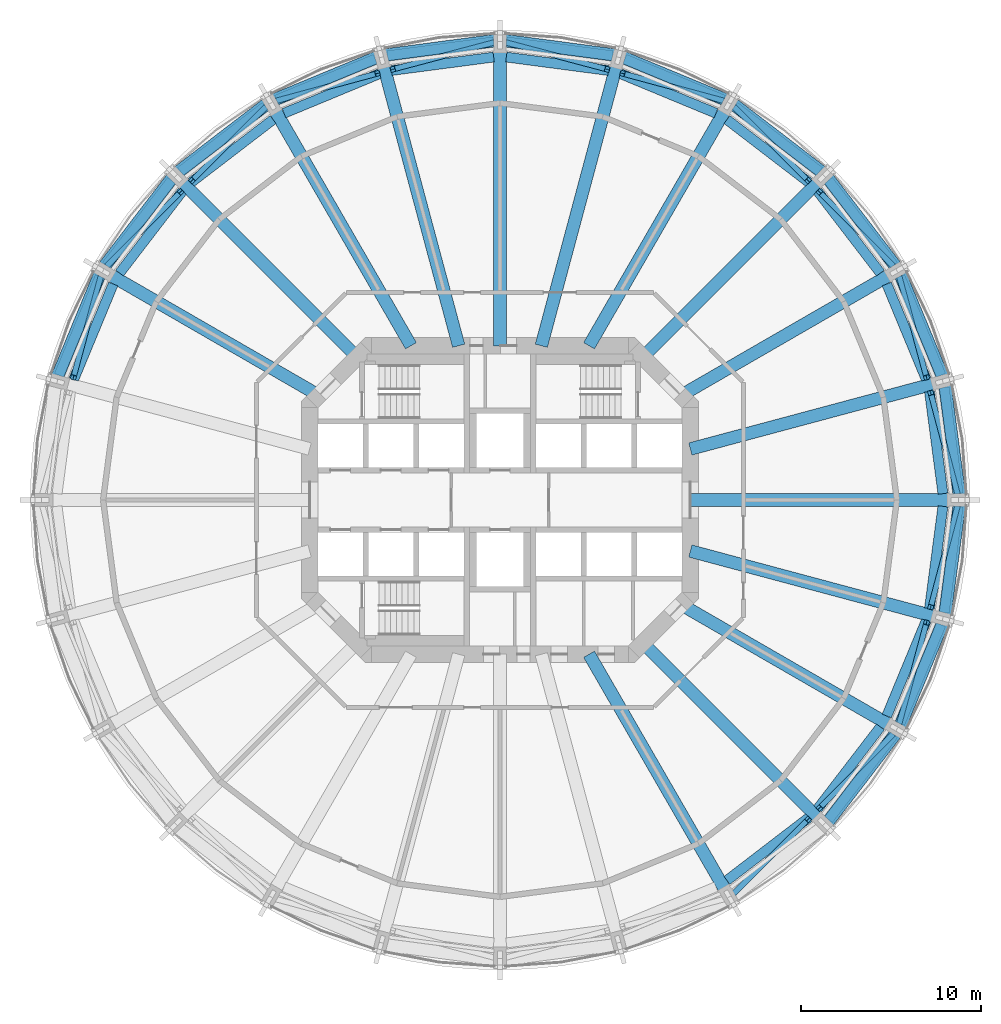
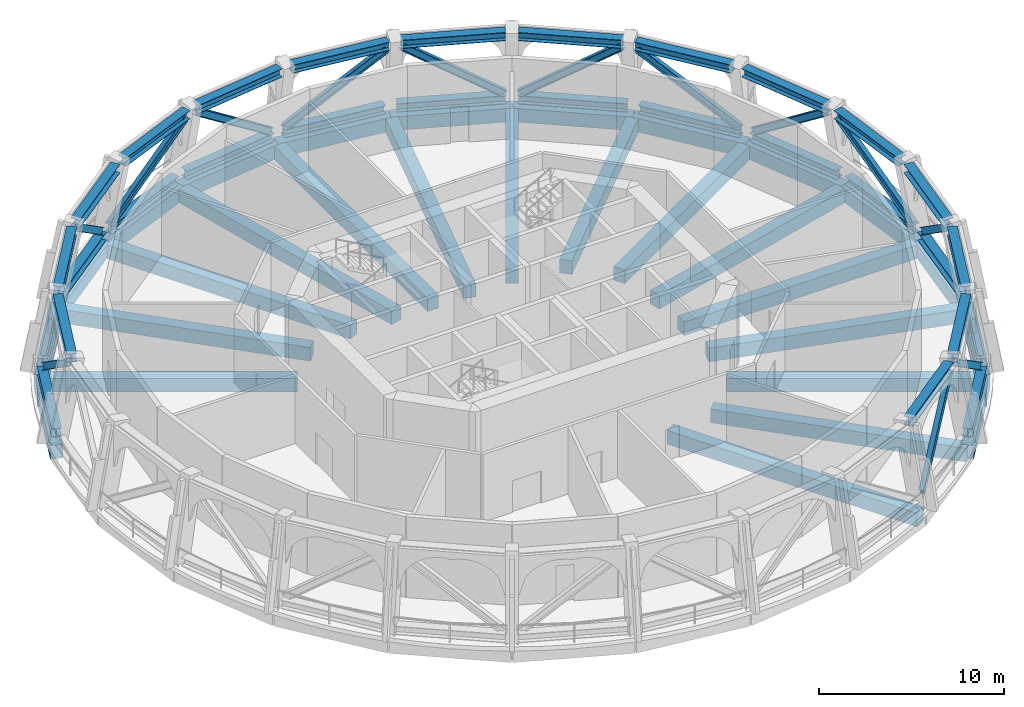
# One storey, part 2 of 9: 44 members, 29 beams.
"""IFC4 building model written with IfcOpenShell, lengths in metres."""

from ifc_helpers import new_model, si_unit, direction, frame, origin, origin_2d, place, context, subcontext, project, spatial, rectangle, i_section, extrude, material, material_profile, profile_set, type_object, element, save


model = new_model("IFC4")

# Units and contexts
model_context = context("Model", 3, precision=1e-05, world=origin(), true_north=direction((0.0, 1.0)))
body_context = subcontext(model_context, "Body", "Model", "MODEL_VIEW")
ifc_project = project(units=[si_unit("LENGTHUNIT", "METRE"), si_unit("AREAUNIT", "SQUARE_METRE"), si_unit("VOLUMEUNIT", "CUBIC_METRE"), si_unit("PLANEANGLEUNIT", "RADIAN"), si_unit("MASSUNIT", "GRAM", prefix="KILO")], contexts=[model_context])

# Site, building, storey
site_placement = place(None, origin())
site = spatial("IfcSite", under=ifc_project, at=site_placement, CompositionType="ELEMENT")
building_placement = place(site_placement, origin())
building = spatial("IfcBuilding", under=site, at=building_placement, Name="Torre Triforio", CompositionType="ELEMENT")
storey_placement = place(building_placement, frame((0.0, 0.0, 110.60009765625)))
storey = spatial("IfcBuildingStorey", under=building, at=storey_placement, Name="L24", CompositionType="ELEMENT", Elevation=110.60009765625)

# Members
ifc_material_1 = material(Name="Steel ASTM A572 Gr 50", Category="steel")
ifc_material_profile_1 = material_profile(ifc_material_1, i_section(OverallWidth=0.550048828125, OverallDepth=0.550048828125, WebThickness=0.01904296875, FlangeThickness=0.02490234375, at=origin_2d()), Name="CS 550x290")
ifc_profile_set_1 = profile_set([ifc_material_profile_1], Name="Steel ASTM A572 Gr 50")
member_type_1 = type_object("IfcMemberType", Name="Belt truss chord CS 550x290", PredefinedType="CHORD", material=ifc_profile_set_1)
member_1_placement = place(storey_placement, frame((25.40478515625, 0.35009765625, 0.27490234375), z_axis=(-0.130544917969, 0.991442395902, 0.0), x_axis=(-0.991442395902, -0.130544917969, 0.0)))
element("IfcMember", 1, at=member_1_placement, inside=storey, type_object=member_type_1, Name="BT.L24.00.CB", PredefinedType="CHORD", context=body_context, shape_type="SweptSolid", body=[
    extrude(i_section(OverallWidth=0.550048828125, OverallDepth=0.550048828125, WebThickness=0.01904296875, FlangeThickness=0.02490234375, at=origin_2d()), origin(), (0.0, 0.0, 1.0), 5.937744140625),
])
member_2_placement = place(storey_placement, frame((24.552978515625, 0.35009765625, 5.044921875), z_axis=(-0.130540700513, 0.991442951213, 0.0), x_axis=(-0.991442951213, -0.130540700513, 0.0)))
element("IfcMember", 2, at=member_2_placement, inside=storey, type_object=member_type_1, Name="BT.L24.00.CT", PredefinedType="CHORD", context=body_context, shape_type="SweptSolid", body=[
    extrude(i_section(OverallWidth=0.550048828125, OverallDepth=0.550048828125, WebThickness=0.01904296875, FlangeThickness=0.02490234375, at=origin_2d()), origin(), (0.0, 0.0, 1.0), 5.71533203125),
])
member_3_placement = place(storey_placement, frame((24.448486328125, 6.913330078125, 0.27490234375), z_axis=(-0.382655604295, 0.923891058784, 0.0), x_axis=(-0.923891058784, -0.382655604295, 0.0)))
element("IfcMember", 3, at=member_3_placement, inside=storey, type_object=member_type_1, Name="BT.L24.01.CB", PredefinedType="CHORD", context=body_context, shape_type="SweptSolid", body=[
    extrude(i_section(OverallWidth=0.550048828125, OverallDepth=0.550048828125, WebThickness=0.01904296875, FlangeThickness=0.02490234375, at=origin_2d()), origin(), (0.0, 0.0, 1.0), 5.93798828125),
])
member_4_placement = place(storey_placement, frame((23.625732421875, 6.69287109375, 5.044921875), z_axis=(-0.382682515754, 0.923879912183, 0.0), x_axis=(-0.923879912183, -0.382682515754, 0.0)))
element("IfcMember", 4, at=member_4_placement, inside=storey, type_object=member_type_1, Name="BT.L24.01.CT", PredefinedType="CHORD", context=body_context, shape_type="SweptSolid", body=[
    extrude(i_section(OverallWidth=0.550048828125, OverallDepth=0.550048828125, WebThickness=0.01904296875, FlangeThickness=0.02490234375, at=origin_2d()), origin(), (0.0, 0.0, 1.0), 5.715576171875),
])
member_5_placement = place(storey_placement, frame((21.826171875, 13.005615234375, 0.27490234375), z_axis=(-0.60877244745, 0.793344885422, 0.0), x_axis=(-0.793344885422, -0.60877244745, 0.0)))
element("IfcMember", 5, at=member_5_placement, inside=storey, type_object=member_type_1, Name="BT.L24.02.CB", PredefinedType="CHORD", context=body_context, shape_type="SweptSolid", body=[
    extrude(i_section(OverallWidth=0.550048828125, OverallDepth=0.550048828125, WebThickness=0.01904296875, FlangeThickness=0.02490234375, at=origin_2d()), origin(), (0.0, 0.0, 1.0), 5.937744140625),
])
member_6_placement = place(storey_placement, frame((21.088623046875, 12.57958984375, 5.044921875), z_axis=(-0.60877314691, 0.793344348692, 0.0), x_axis=(-0.793344348692, -0.60877314691, 0.0)))
element("IfcMember", 6, at=member_6_placement, inside=storey, type_object=member_type_1, Name="BT.L24.02.CT", PredefinedType="CHORD", context=body_context, shape_type="SweptSolid", body=[
    extrude(i_section(OverallWidth=0.550048828125, OverallDepth=0.550048828125, WebThickness=0.01904296875, FlangeThickness=0.02490234375, at=origin_2d()), origin(), (0.0, 0.0, 1.0), 5.715576171875),
])
member_7_placement = place(storey_placement, frame((17.71630859375, 18.21142578125, 0.27490234375), z_axis=(-0.793344885422, 0.60877244745, 0.0), x_axis=(-0.60877244745, -0.793344885422, 0.0)))
element("IfcMember", 7, at=member_7_placement, inside=storey, type_object=member_type_1, Name="BT.L24.03.CB", PredefinedType="CHORD", context=body_context, shape_type="SweptSolid", body=[
    extrude(i_section(OverallWidth=0.550048828125, OverallDepth=0.550048828125, WebThickness=0.01904296875, FlangeThickness=0.02490234375, at=origin_2d()), origin(), (0.0, 0.0, 1.0), 5.937744140625),
])
member_8_placement = place(storey_placement, frame((17.114013671875, 17.609130859375, 5.044921875), z_axis=(-0.793344348692, 0.60877314691, 0.0), x_axis=(-0.60877314691, -0.793344348692, 0.0)))
element("IfcMember", 8, at=member_8_placement, inside=storey, type_object=member_type_1, Name="BT.L24.03.CT", PredefinedType="CHORD", context=body_context, shape_type="SweptSolid", body=[
    extrude(i_section(OverallWidth=0.550048828125, OverallDepth=0.550048828125, WebThickness=0.01904296875, FlangeThickness=0.02490234375, at=origin_2d()), origin(), (0.0, 0.0, 1.0), 5.715576171875),
])
member_9_placement = place(storey_placement, frame((12.3994140625, 22.17626953125, 0.27490234375), z_axis=(-0.923891058784, 0.382655604295, 0.0), x_axis=(-0.382655604295, -0.923891058784, 0.0)))
element("IfcMember", 9, at=member_9_placement, inside=storey, type_object=member_type_1, Name="BT.L24.04.CB", PredefinedType="CHORD", context=body_context, shape_type="SweptSolid", body=[
    extrude(i_section(OverallWidth=0.550048828125, OverallDepth=0.550048828125, WebThickness=0.01904296875, FlangeThickness=0.02490234375, at=origin_2d()), origin(), (0.0, 0.0, 1.0), 5.93798828125),
])
member_10_placement = place(storey_placement, frame((11.973388671875, 21.4384765625, 5.044921875), z_axis=(-0.923879912183, 0.382682515754, 0.0), x_axis=(-0.382682515754, -0.923879912183, 0.0)))
element("IfcMember", 10, at=member_10_placement, inside=storey, type_object=member_type_1, Name="BT.L24.04.CT", PredefinedType="CHORD", context=body_context, shape_type="SweptSolid", body=[
    extrude(i_section(OverallWidth=0.550048828125, OverallDepth=0.550048828125, WebThickness=0.01904296875, FlangeThickness=0.02490234375, at=origin_2d()), origin(), (0.0, 0.0, 1.0), 5.715576171875),
])
member_11_placement = place(storey_placement, frame((6.237060546875, 24.629638671875, 0.27490234375), z_axis=(-0.991442395902, 0.130544917969, 0.0), x_axis=(-0.130544917969, -0.991442395902, 0.0)))
element("IfcMember", 11, at=member_11_placement, inside=storey, type_object=member_type_1, Name="BT.L24.05.CB", PredefinedType="CHORD", context=body_context, shape_type="SweptSolid", body=[
    extrude(i_section(OverallWidth=0.550048828125, OverallDepth=0.550048828125, WebThickness=0.01904296875, FlangeThickness=0.02490234375, at=origin_2d()), origin(), (0.0, 0.0, 1.0), 5.937744140625),
])
member_12_placement = place(storey_placement, frame((6.0166015625, 23.806884765625, 5.044921875), z_axis=(-0.991442951213, 0.130540700513, 0.0), x_axis=(-0.130540700513, -0.991442951213, 0.0)))
element("IfcMember", 12, at=member_12_placement, inside=storey, type_object=member_type_1, Name="BT.L24.05.CT", PredefinedType="CHORD", context=body_context, shape_type="SweptSolid", body=[
    extrude(i_section(OverallWidth=0.550048828125, OverallDepth=0.550048828125, WebThickness=0.01904296875, FlangeThickness=0.02490234375, at=origin_2d()), origin(), (0.0, 0.0, 1.0), 5.71533203125),
])
member_13_placement = place(storey_placement, frame((-0.35009765625, 25.40478515625, 0.27490234375), z_axis=(-0.991442395902, -0.130544917969, 0.0), x_axis=(0.130544917969, -0.991442395902, 0.0)))
element("IfcMember", 13, at=member_13_placement, inside=storey, type_object=member_type_1, Name="BT.L24.06.CB", PredefinedType="CHORD", context=body_context, shape_type="SweptSolid", body=[
    extrude(i_section(OverallWidth=0.550048828125, OverallDepth=0.550048828125, WebThickness=0.01904296875, FlangeThickness=0.02490234375, at=origin_2d()), origin(), (0.0, 0.0, 1.0), 5.937744140625),
])
member_14_placement = place(storey_placement, frame((-0.35009765625, 24.552978515625, 5.044921875), z_axis=(-0.991442951213, -0.130540700513, 0.0), x_axis=(0.130540700513, -0.991442951213, 0.0)))
element("IfcMember", 14, at=member_14_placement, inside=storey, type_object=member_type_1, Name="BT.L24.06.CT", PredefinedType="CHORD", context=body_context, shape_type="SweptSolid", body=[
    extrude(i_section(OverallWidth=0.550048828125, OverallDepth=0.550048828125, WebThickness=0.01904296875, FlangeThickness=0.02490234375, at=origin_2d()), origin(), (0.0, 0.0, 1.0), 5.71533203125),
])
member_15_placement = place(storey_placement, frame((-6.913330078125, 24.448486328125, 0.27490234375), z_axis=(-0.923891058784, -0.382655604295, 0.0), x_axis=(0.382655604295, -0.923891058784, 0.0)))
element("IfcMember", 15, at=member_15_placement, inside=storey, type_object=member_type_1, Name="BT.L24.07.CB", PredefinedType="CHORD", context=body_context, shape_type="SweptSolid", body=[
    extrude(i_section(OverallWidth=0.550048828125, OverallDepth=0.550048828125, WebThickness=0.01904296875, FlangeThickness=0.02490234375, at=origin_2d()), origin(), (0.0, 0.0, 1.0), 5.93798828125),
])
member_16_placement = place(storey_placement, frame((-6.69287109375, 23.625732421875, 5.044921875), z_axis=(-0.923879912183, -0.382682515754, 0.0), x_axis=(0.382682515754, -0.923879912183, 0.0)))
element("IfcMember", 16, at=member_16_placement, inside=storey, type_object=member_type_1, Name="BT.L24.07.CT", PredefinedType="CHORD", context=body_context, shape_type="SweptSolid", body=[
    extrude(i_section(OverallWidth=0.550048828125, OverallDepth=0.550048828125, WebThickness=0.01904296875, FlangeThickness=0.02490234375, at=origin_2d()), origin(), (0.0, 0.0, 1.0), 5.715576171875),
])
member_17_placement = place(storey_placement, frame((-13.005615234375, 21.826171875, 0.27490234375), z_axis=(-0.793344885422, -0.60877244745, 0.0), x_axis=(0.60877244745, -0.793344885422, 0.0)))
element("IfcMember", 17, at=member_17_placement, inside=storey, type_object=member_type_1, Name="BT.L24.08.CB", PredefinedType="CHORD", context=body_context, shape_type="SweptSolid", body=[
    extrude(i_section(OverallWidth=0.550048828125, OverallDepth=0.550048828125, WebThickness=0.01904296875, FlangeThickness=0.02490234375, at=origin_2d()), origin(), (0.0, 0.0, 1.0), 5.937744140625),
])
member_18_placement = place(storey_placement, frame((-12.57958984375, 21.088623046875, 5.044921875), z_axis=(-0.793344348692, -0.60877314691, 0.0), x_axis=(0.60877314691, -0.793344348692, 0.0)))
element("IfcMember", 18, at=member_18_placement, inside=storey, type_object=member_type_1, Name="BT.L24.08.CT", PredefinedType="CHORD", context=body_context, shape_type="SweptSolid", body=[
    extrude(i_section(OverallWidth=0.550048828125, OverallDepth=0.550048828125, WebThickness=0.01904296875, FlangeThickness=0.02490234375, at=origin_2d()), origin(), (0.0, 0.0, 1.0), 5.715576171875),
])
member_19_placement = place(storey_placement, frame((-18.21142578125, 17.71630859375, 0.27490234375), z_axis=(-0.60877244745, -0.793344885422, 0.0), x_axis=(0.793344885422, -0.60877244745, 0.0)))
element("IfcMember", 19, at=member_19_placement, inside=storey, type_object=member_type_1, Name="BT.L24.09.CB", PredefinedType="CHORD", context=body_context, shape_type="SweptSolid", body=[
    extrude(i_section(OverallWidth=0.550048828125, OverallDepth=0.550048828125, WebThickness=0.01904296875, FlangeThickness=0.02490234375, at=origin_2d()), origin(), (0.0, 0.0, 1.0), 5.937744140625),
])
member_20_placement = place(storey_placement, frame((-17.609130859375, 17.114013671875, 5.044921875), z_axis=(-0.60877314691, -0.793344348692, 0.0), x_axis=(0.793344348692, -0.60877314691, 0.0)))
element("IfcMember", 20, at=member_20_placement, inside=storey, type_object=member_type_1, Name="BT.L24.09.CT", PredefinedType="CHORD", context=body_context, shape_type="SweptSolid", body=[
    extrude(i_section(OverallWidth=0.550048828125, OverallDepth=0.550048828125, WebThickness=0.01904296875, FlangeThickness=0.02490234375, at=origin_2d()), origin(), (0.0, 0.0, 1.0), 5.715576171875),
])
member_21_placement = place(storey_placement, frame((-22.17626953125, 12.3994140625, 0.27490234375), z_axis=(-0.382655604295, -0.923891058784, 0.0), x_axis=(0.923891058784, -0.382655604295, 0.0)))
element("IfcMember", 21, at=member_21_placement, inside=storey, type_object=member_type_1, Name="BT.L24.10.CB", PredefinedType="CHORD", context=body_context, shape_type="SweptSolid", body=[
    extrude(i_section(OverallWidth=0.550048828125, OverallDepth=0.550048828125, WebThickness=0.01904296875, FlangeThickness=0.02490234375, at=origin_2d()), origin(), (0.0, 0.0, 1.0), 5.93798828125),
])
for number, where, z_axis, x_axis, name in (
    (22, (-21.4384765625, 11.973388671875, 5.044921875), (-0.382682515754, -0.923879912183, 0.0), (0.923879912183, -0.382682515754, 0.0), "BT.L24.10.CT"),
    (23, (12.57958984375, -21.088623046875, 5.044921875), (0.793344348692, 0.60877314691, 0.0), (-0.60877314691, 0.793344348692, 0.0), "BT.L24.20.CT"),
):
    element("IfcMember", number, at=place(storey_placement, frame(where, z_axis=z_axis, x_axis=x_axis)), inside=storey, type_object=member_type_1, Name=name, PredefinedType="CHORD", context=body_context, shape_type="SweptSolid", body=[
        extrude(i_section(OverallWidth=0.550048828125, OverallDepth=0.550048828125, WebThickness=0.01904296875, FlangeThickness=0.02490234375, at=origin_2d()), origin(), (0.0, 0.0, 1.0), 5.715576171875),
    ])
member_22_placement = place(storey_placement, frame((18.21142578125, -17.71630859375, 0.27490234375), z_axis=(0.60877244745, 0.793344885422, 0.0), x_axis=(-0.793344885422, 0.60877244745, 0.0)))
element("IfcMember", 24, at=member_22_placement, inside=storey, type_object=member_type_1, Name="BT.L24.21.CB", PredefinedType="CHORD", context=body_context, shape_type="SweptSolid", body=[
    extrude(i_section(OverallWidth=0.550048828125, OverallDepth=0.550048828125, WebThickness=0.01904296875, FlangeThickness=0.02490234375, at=origin_2d()), origin(), (0.0, 0.0, 1.0), 5.937744140625),
])
member_23_placement = place(storey_placement, frame((17.609130859375, -17.114013671875, 5.044921875), z_axis=(0.60877314691, 0.793344348692, 0.0), x_axis=(-0.793344348692, 0.60877314691, 0.0)))
element("IfcMember", 25, at=member_23_placement, inside=storey, type_object=member_type_1, Name="BT.L24.21.CT", PredefinedType="CHORD", context=body_context, shape_type="SweptSolid", body=[
    extrude(i_section(OverallWidth=0.550048828125, OverallDepth=0.550048828125, WebThickness=0.01904296875, FlangeThickness=0.02490234375, at=origin_2d()), origin(), (0.0, 0.0, 1.0), 5.715576171875),
])
member_24_placement = place(storey_placement, frame((22.17626953125, -12.3994140625, 0.27490234375), z_axis=(0.382655604295, 0.923891058784, 0.0), x_axis=(-0.923891058784, 0.382655604295, 0.0)))
element("IfcMember", 26, at=member_24_placement, inside=storey, type_object=member_type_1, Name="BT.L24.22.CB", PredefinedType="CHORD", context=body_context, shape_type="SweptSolid", body=[
    extrude(i_section(OverallWidth=0.550048828125, OverallDepth=0.550048828125, WebThickness=0.01904296875, FlangeThickness=0.02490234375, at=origin_2d()), origin(), (0.0, 0.0, 1.0), 5.93798828125),
])
member_25_placement = place(storey_placement, frame((21.4384765625, -11.973388671875, 5.044921875), z_axis=(0.382682515754, 0.923879912183, 0.0), x_axis=(-0.923879912183, 0.382682515754, 0.0)))
element("IfcMember", 27, at=member_25_placement, inside=storey, type_object=member_type_1, Name="BT.L24.22.CT", PredefinedType="CHORD", context=body_context, shape_type="SweptSolid", body=[
    extrude(i_section(OverallWidth=0.550048828125, OverallDepth=0.550048828125, WebThickness=0.01904296875, FlangeThickness=0.02490234375, at=origin_2d()), origin(), (0.0, 0.0, 1.0), 5.715576171875),
])
member_26_placement = place(storey_placement, frame((24.629638671875, -6.237060546875, 0.27490234375), z_axis=(0.130544917969, 0.991442395902, 0.0), x_axis=(-0.991442395902, 0.130544917969, 0.0)))
element("IfcMember", 28, at=member_26_placement, inside=storey, type_object=member_type_1, Name="BT.L24.23.CB", PredefinedType="CHORD", context=body_context, shape_type="SweptSolid", body=[
    extrude(i_section(OverallWidth=0.550048828125, OverallDepth=0.550048828125, WebThickness=0.01904296875, FlangeThickness=0.02490234375, at=origin_2d()), origin(), (0.0, 0.0, 1.0), 5.937744140625),
])
member_27_placement = place(storey_placement, frame((23.806884765625, -6.0166015625, 5.044921875), z_axis=(0.130540700513, 0.991442951213, 0.0), x_axis=(-0.991442951213, 0.130540700513, 0.0)))
element("IfcMember", 29, at=member_27_placement, inside=storey, type_object=member_type_1, Name="BT.L24.23.CT", PredefinedType="CHORD", context=body_context, shape_type="SweptSolid", body=[
    extrude(i_section(OverallWidth=0.550048828125, OverallDepth=0.550048828125, WebThickness=0.01904296875, FlangeThickness=0.02490234375, at=origin_2d()), origin(), (0.0, 0.0, 1.0), 5.71533203125),
])
ifc_material_profile_2 = material_profile(ifc_material_1, i_section(OverallWidth=0.300048828125, OverallDepth=0.449951171875, WebThickness=0.01611328125, FlangeThickness=0.0224609375, at=origin_2d()), Name="CVS 450x156")
ifc_profile_set_2 = profile_set([ifc_material_profile_2], Name="Steel ASTM A572 Gr 50")
member_type_2 = type_object("IfcMemberType", Name="Belt truss diagonal CVS 450x156", PredefinedType="BRACE", material=ifc_profile_set_2)
for number, where, z_axis, x_axis, name in (
    (30, (25.3349609375, 0.43701171875, 0.602294921875), (-0.207807238117, 0.782827400265, 0.586512926695), (-0.966525334729, -0.256571193487, 0.0), "BT.L24.00.D"),
    (31, (23.64599609375, 6.79150390625, 4.726318359375), (-0.211452203796, 0.781852335811, -0.586510776113), (-0.965319605992, -0.261070983235, 0.0), "BT.L24.01.D"),
    (32, (21.72216796875, 13.0458984375, 0.602294921875), (-0.571375218798, 0.574048765945, 0.5865137455), (-0.708755316491, -0.705454393527, 0.0), "BT.L24.02.D"),
    (33, (17.082275390625, 17.70458984375, 4.726318359375), (-0.574048765945, 0.571375218798, -0.5865137455), (-0.705454393527, -0.708755316491, 0.0), "BT.L24.03.D"),
    (34, (12.2890625, 22.1591796875, 0.602294921875), (-0.781852335811, 0.211452203796, 0.586510776113), (-0.261070983235, -0.965319605992, 0.0), "BT.L24.04.D"),
    (35, (5.94140625, 23.873779296875, 4.726318359375), (-0.782827400265, 0.207807238117, -0.586512926695), (-0.256571193487, -0.966525334729, 0.0), "BT.L24.05.D"),
    (36, (-0.43701171875, 25.3349609375, 0.602294921875), (-0.782827400265, -0.207807238117, 0.586512926695), (0.256571193487, -0.966525334729, 0.0), "BT.L24.06.D"),
    (37, (-6.79150390625, 23.64599609375, 4.726318359375), (-0.781852335811, -0.211452203796, -0.586510776113), (0.261070983235, -0.965319605992, 0.0), "BT.L24.07.D"),
    (38, (-13.0458984375, 21.72216796875, 0.602294921875), (-0.574048765945, -0.571375218798, 0.5865137455), (0.705454393527, -0.708755316491, 0.0), "BT.L24.08.D"),
    (39, (-17.70458984375, 17.082275390625, 4.726318359375), (-0.571375218798, -0.574048765945, -0.5865137455), (0.708755316491, -0.705454393527, 0.0), "BT.L24.09.D"),
    (40, (-22.1591796875, 12.2890625, 0.602294921875), (-0.211452203796, -0.781852335811, 0.586510776113), (0.965319605992, -0.261070983235, 0.0), "BT.L24.10.D"),
    (41, (13.0458984375, -21.72216796875, 0.602294921875), (0.574048765945, 0.571375218798, 0.5865137455), (-0.705454393527, 0.708755316491, 0.0), "BT.L24.20.D"),
    (42, (17.70458984375, -17.082275390625, 4.726318359375), (0.571375218798, 0.574048765945, -0.5865137455), (-0.708755316491, 0.705454393527, 0.0), "BT.L24.21.D"),
    (43, (22.1591796875, -12.2890625, 0.602294921875), (0.211452203796, 0.781852335811, 0.586510776113), (-0.965319605992, 0.261070983235, 0.0), "BT.L24.22.D"),
    (44, (23.873779296875, -5.94140625, 4.726318359375), (0.207807238117, 0.782827400265, -0.586512926695), (-0.966525334729, 0.256571193487, 0.0), "BT.L24.23.D"),
):
    element("IfcMember", number, at=place(storey_placement, frame(where, z_axis=z_axis, x_axis=x_axis)), inside=storey, type_object=member_type_2, Name=name, PredefinedType="BRACE", context=body_context, shape_type="SweptSolid", body=[
        extrude(i_section(OverallWidth=0.300048828125, OverallDepth=0.449951171875, WebThickness=0.01611328125, FlangeThickness=0.0224609375, at=origin_2d()), origin(), (0.0, 0.0, 1.0), 7.031494140625),
    ])

# Beams
ifc_material_2 = material(Name="Concrete C50", Category="concrete")
ifc_material_profile_3 = material_profile(ifc_material_2, rectangle(XDim=0.699951171875, YDim=0.89990234375, at=origin_2d()), Name="RC 700x900")
ifc_profile_set_3 = profile_set([ifc_material_profile_3], Name="Concrete C50")
beam_type_1 = type_object("IfcBeamType", Name="Radial beam RC 700x900 C50", PredefinedType="BEAM", material=ifc_profile_set_3)
beam_1_placement = place(storey_placement, frame((10.550048828125, 0.0, -0.72998046875), z_axis=(1.0, 0.0, 0.0), x_axis=(0.0, 1.0, 0.0)))
element("IfcBeam", 45, at=beam_1_placement, inside=storey, type_object=beam_type_1, Name="BM.R.L24.00", PredefinedType="BEAM", context=body_context, shape_type="SweptSolid", body=[
    extrude(rectangle(XDim=0.699951171875, YDim=0.89990234375, at=origin_2d()), origin(), (0.0, 0.0, 1.0), 14.949951171875),
])
beam_2_placement = place(storey_placement, frame((10.550048828125, 2.826904296875, -0.72998046875), z_axis=(0.965926821176, 0.258815332104, 0.0), x_axis=(-0.258815332104, 0.965926821176, 0.0)))
element("IfcBeam", 46, at=beam_2_placement, inside=storey, type_object=beam_type_1, Name="BM.R.L24.01", PredefinedType="BEAM", context=body_context, shape_type="SweptSolid", body=[
    extrude(rectangle(XDim=0.699951171875, YDim=0.89990234375, at=origin_2d()), origin(), (0.0, 0.0, 1.0), 14.577880859375),
])
beam_3_placement = place(storey_placement, frame((10.039794921875, 5.796630859375, -0.72998046875), z_axis=(0.866031815519, 0.499988894385, 0.0), x_axis=(-0.499988894385, 0.866031815519, 0.0)))
element("IfcBeam", 47, at=beam_3_placement, inside=storey, type_object=beam_type_1, Name="BM.R.L24.02", PredefinedType="BEAM", context=body_context, shape_type="SweptSolid", body=[
    extrude(rectangle(XDim=0.699951171875, YDim=0.89990234375, at=origin_2d()), origin(), (0.0, 0.0, 1.0), 13.906982421875),
])
beam_4_placement = place(storey_placement, frame((7.918212890625, 7.918212890625, -0.72998046875), z_axis=(0.707106781187, 0.707106781187, 0.0), x_axis=(-0.707106781187, 0.707106781187, 0.0)))
element("IfcBeam", 48, at=beam_4_placement, inside=storey, type_object=beam_type_1, Name="BM.R.L24.03", PredefinedType="BEAM", context=body_context, shape_type="SweptSolid", body=[
    extrude(rectangle(XDim=0.699951171875, YDim=0.89990234375, at=origin_2d()), origin(), (0.0, 0.0, 1.0), 14.302001953125),
])
beam_5_placement = place(storey_placement, frame((4.936279296875, 8.550048828125, -0.72998046875), z_axis=(0.500001935381, 0.866024286389, 0.0), x_axis=(-0.866024286389, 0.500001935381, 0.0)))
element("IfcBeam", 49, at=beam_5_placement, inside=storey, type_object=beam_type_1, Name="BM.R.L24.04", PredefinedType="BEAM", context=body_context, shape_type="SweptSolid", body=[
    extrude(rectangle(XDim=0.699951171875, YDim=0.89990234375, at=origin_2d()), origin(), (0.0, 0.0, 1.0), 15.62744140625),
])
beam_6_placement = place(storey_placement, frame((2.291015625, 8.550048828125, -0.72998046875), z_axis=(0.25881524955, 0.965926843296, 0.0), x_axis=(-0.965926843296, 0.25881524955, 0.0)))
element("IfcBeam", 50, at=beam_6_placement, inside=storey, type_object=beam_type_1, Name="BM.R.L24.05", PredefinedType="BEAM", context=body_context, shape_type="SweptSolid", body=[
    extrude(rectangle(XDim=0.699951171875, YDim=0.89990234375, at=origin_2d()), origin(), (0.0, 0.0, 1.0), 16.648193359375),
])
beam_7_placement = place(storey_placement, frame((0.0, 8.550048828125, -0.72998046875), z_axis=(0.0, 1.0, 0.0), x_axis=(-1.0, 0.0, 0.0)))
element("IfcBeam", 51, at=beam_7_placement, inside=storey, type_object=beam_type_1, Name="BM.R.L24.06", PredefinedType="BEAM", context=body_context, shape_type="SweptSolid", body=[
    extrude(rectangle(XDim=0.699951171875, YDim=0.89990234375, at=origin_2d()), origin(), (0.0, 0.0, 1.0), 16.949951171875),
])
beam_8_placement = place(storey_placement, frame((-2.291015625, 8.550048828125, -0.72998046875), z_axis=(-0.25881524955, 0.965926843296, 0.0), x_axis=(-0.965926843296, -0.25881524955, 0.0)))
element("IfcBeam", 52, at=beam_8_placement, inside=storey, type_object=beam_type_1, Name="BM.R.L24.07", PredefinedType="BEAM", context=body_context, shape_type="SweptSolid", body=[
    extrude(rectangle(XDim=0.699951171875, YDim=0.89990234375, at=origin_2d()), origin(), (0.0, 0.0, 1.0), 16.648193359375),
])
beam_9_placement = place(storey_placement, frame((-4.936279296875, 8.550048828125, -0.72998046875), z_axis=(-0.500001935381, 0.866024286389, 0.0), x_axis=(-0.866024286389, -0.500001935381, 0.0)))
element("IfcBeam", 53, at=beam_9_placement, inside=storey, type_object=beam_type_1, Name="BM.R.L24.08", PredefinedType="BEAM", context=body_context, shape_type="SweptSolid", body=[
    extrude(rectangle(XDim=0.699951171875, YDim=0.89990234375, at=origin_2d()), origin(), (0.0, 0.0, 1.0), 15.62744140625),
])
beam_10_placement = place(storey_placement, frame((-7.918212890625, 7.918212890625, -0.72998046875), z_axis=(-0.707106781187, 0.707106781187, 0.0), x_axis=(-0.707106781187, -0.707106781187, 0.0)))
element("IfcBeam", 54, at=beam_10_placement, inside=storey, type_object=beam_type_1, Name="BM.R.L24.09", PredefinedType="BEAM", context=body_context, shape_type="SweptSolid", body=[
    extrude(rectangle(XDim=0.699951171875, YDim=0.89990234375, at=origin_2d()), origin(), (0.0, 0.0, 1.0), 14.302001953125),
])
beam_11_placement = place(storey_placement, frame((-10.039794921875, 5.796630859375, -0.72998046875), z_axis=(-0.866031815519, 0.499988894385, 0.0), x_axis=(-0.499988894385, -0.866031815519, 0.0)))
element("IfcBeam", 55, at=beam_11_placement, inside=storey, type_object=beam_type_1, Name="BM.R.L24.10", PredefinedType="BEAM", context=body_context, shape_type="SweptSolid", body=[
    extrude(rectangle(XDim=0.699951171875, YDim=0.89990234375, at=origin_2d()), origin(), (0.0, 0.0, 1.0), 13.906982421875),
])
beam_12_placement = place(storey_placement, frame((4.936279296875, -8.550048828125, -0.72998046875), z_axis=(0.500001935381, -0.866024286389, 0.0), x_axis=(0.866024286389, 0.500001935381, 0.0)))
element("IfcBeam", 56, at=beam_12_placement, inside=storey, type_object=beam_type_1, Name="BM.R.L24.20", PredefinedType="BEAM", context=body_context, shape_type="SweptSolid", body=[
    extrude(rectangle(XDim=0.699951171875, YDim=0.89990234375, at=origin_2d()), origin(), (0.0, 0.0, 1.0), 15.62744140625),
])
beam_13_placement = place(storey_placement, frame((7.918212890625, -7.918212890625, -0.72998046875), z_axis=(0.707106781187, -0.707106781187, 0.0), x_axis=(0.707106781187, 0.707106781187, 0.0)))
element("IfcBeam", 57, at=beam_13_placement, inside=storey, type_object=beam_type_1, Name="BM.R.L24.21", PredefinedType="BEAM", context=body_context, shape_type="SweptSolid", body=[
    extrude(rectangle(XDim=0.699951171875, YDim=0.89990234375, at=origin_2d()), origin(), (0.0, 0.0, 1.0), 14.302001953125),
])
beam_14_placement = place(storey_placement, frame((10.039794921875, -5.796630859375, -0.72998046875), z_axis=(0.866031815519, -0.499988894385, 0.0), x_axis=(0.499988894385, 0.866031815519, 0.0)))
element("IfcBeam", 58, at=beam_14_placement, inside=storey, type_object=beam_type_1, Name="BM.R.L24.22", PredefinedType="BEAM", context=body_context, shape_type="SweptSolid", body=[
    extrude(rectangle(XDim=0.699951171875, YDim=0.89990234375, at=origin_2d()), origin(), (0.0, 0.0, 1.0), 13.906982421875),
])
beam_15_placement = place(storey_placement, frame((10.550048828125, -2.826904296875, -0.72998046875), z_axis=(0.965926821176, -0.258815332104, 0.0), x_axis=(0.258815332104, 0.965926821176, 0.0)))
element("IfcBeam", 59, at=beam_15_placement, inside=storey, type_object=beam_type_1, Name="BM.R.L24.23", PredefinedType="BEAM", context=body_context, shape_type="SweptSolid", body=[
    extrude(rectangle(XDim=0.699951171875, YDim=0.89990234375, at=origin_2d()), origin(), (0.0, 0.0, 1.0), 14.577880859375),
])
ifc_material_profile_4 = material_profile(ifc_material_2, rectangle(XDim=0.699951171875, YDim=0.89990234375, at=origin_2d()), Name="RC 700x900")
ifc_profile_set_4 = profile_set([ifc_material_profile_4], Name="Concrete C50")
beam_type_2 = type_object("IfcBeamType", Name="Spandrel beam RC 700x900 C50", PredefinedType="SPANDREL", material=ifc_profile_set_4)
for number, where, z_axis, x_axis, name in (
    (60, (25.5, 0.0, -0.72998046875), (-0.130527563319, 0.991444680864, 0.0), (-0.991444680864, -0.130527563319, 0.0), "BM.S.L24.00"),
    (61, (24.631103515625, 6.599853515625, -0.72998046875), (-0.382669224891, 0.923885417312, 0.0), (-0.923885417312, -0.382669224891, 0.0), "BM.S.L24.01"),
):
    element("IfcBeam", number, at=place(storey_placement, frame(where, z_axis=z_axis, x_axis=x_axis)), inside=storey, type_object=beam_type_2, Name=name, PredefinedType="SPANDREL", context=body_context, shape_type="SweptSolid", body=[
        extrude(rectangle(XDim=0.699951171875, YDim=0.89990234375, at=origin_2d()), origin(), (0.0, 0.0, 1.0), 6.65673828125),
    ])
for number, where, z_axis, x_axis, name in (
    (62, (22.083740234375, 12.75, -0.72998046875), (-0.608765643954, 0.793350106032, 0.0), (-0.793350106032, -0.608765643954, 0.0), "BM.S.L24.02"),
    (63, (18.03125, 18.03125, -0.72998046875), (-0.793350106032, 0.608765643954, 0.0), (-0.608765643954, -0.793350106032, 0.0), "BM.S.L24.03"),
):
    element("IfcBeam", number, at=place(storey_placement, frame(where, z_axis=z_axis, x_axis=x_axis)), inside=storey, type_object=beam_type_2, Name=name, PredefinedType="SPANDREL", context=body_context, shape_type="SweptSolid", body=[
        extrude(rectangle(XDim=0.699951171875, YDim=0.89990234375, at=origin_2d()), origin(), (0.0, 0.0, 1.0), 6.656982421875),
    ])
for number, where, z_axis, x_axis, name in (
    (64, (12.75, 22.083740234375, -0.72998046875), (-0.923885417312, 0.382669224891, 0.0), (-0.382669224891, -0.923885417312, 0.0), "BM.S.L24.04"),
    (65, (6.599853515625, 24.631103515625, -0.72998046875), (-0.991444680864, 0.130527563319, 0.0), (-0.130527563319, -0.991444680864, 0.0), "BM.S.L24.05"),
    (66, (0.0, 25.5, -0.72998046875), (-0.991444680864, -0.130527563319, 0.0), (0.130527563319, -0.991444680864, 0.0), "BM.S.L24.06"),
    (67, (-6.599853515625, 24.631103515625, -0.72998046875), (-0.923885417312, -0.382669224891, 0.0), (0.382669224891, -0.923885417312, 0.0), "BM.S.L24.07"),
):
    element("IfcBeam", number, at=place(storey_placement, frame(where, z_axis=z_axis, x_axis=x_axis)), inside=storey, type_object=beam_type_2, Name=name, PredefinedType="SPANDREL", context=body_context, shape_type="SweptSolid", body=[
        extrude(rectangle(XDim=0.699951171875, YDim=0.89990234375, at=origin_2d()), origin(), (0.0, 0.0, 1.0), 6.65673828125),
    ])
for number, where, z_axis, x_axis, name in (
    (68, (-12.75, 22.083740234375, -0.72998046875), (-0.793350106032, -0.608765643954, 0.0), (0.608765643954, -0.793350106032, 0.0), "BM.S.L24.08"),
    (69, (-18.03125, 18.03125, -0.72998046875), (-0.608765643954, -0.793350106032, 0.0), (0.793350106032, -0.608765643954, 0.0), "BM.S.L24.09"),
):
    element("IfcBeam", number, at=place(storey_placement, frame(where, z_axis=z_axis, x_axis=x_axis)), inside=storey, type_object=beam_type_2, Name=name, PredefinedType="SPANDREL", context=body_context, shape_type="SweptSolid", body=[
        extrude(rectangle(XDim=0.699951171875, YDim=0.89990234375, at=origin_2d()), origin(), (0.0, 0.0, 1.0), 6.656982421875),
    ])
beam_16_placement = place(storey_placement, frame((-22.083740234375, 12.75, -0.72998046875), z_axis=(-0.382669224891, -0.923885417312, 0.0), x_axis=(0.923885417312, -0.382669224891, 0.0)))
element("IfcBeam", 70, at=beam_16_placement, inside=storey, type_object=beam_type_2, Name="BM.S.L24.10", PredefinedType="SPANDREL", context=body_context, shape_type="SweptSolid", body=[
    extrude(rectangle(XDim=0.699951171875, YDim=0.89990234375, at=origin_2d()), origin(), (0.0, 0.0, 1.0), 6.65673828125),
])
beam_17_placement = place(storey_placement, frame((18.03125, -18.03125, -0.72998046875), z_axis=(0.608765643954, 0.793350106032, 0.0), x_axis=(-0.793350106032, 0.608765643954, 0.0)))
element("IfcBeam", 71, at=beam_17_placement, inside=storey, type_object=beam_type_2, Name="BM.S.L24.21", PredefinedType="SPANDREL", context=body_context, shape_type="SweptSolid", body=[
    extrude(rectangle(XDim=0.699951171875, YDim=0.89990234375, at=origin_2d()), origin(), (0.0, 0.0, 1.0), 6.656982421875),
])
for number, where, z_axis, x_axis, name in (
    (72, (22.083740234375, -12.75, -0.72998046875), (0.382669224891, 0.923885417312, 0.0), (-0.923885417312, 0.382669224891, 0.0), "BM.S.L24.22"),
    (73, (24.631103515625, -6.599853515625, -0.72998046875), (0.130527563319, 0.991444680864, 0.0), (-0.991444680864, 0.130527563319, 0.0), "BM.S.L24.23"),
):
    element("IfcBeam", number, at=place(storey_placement, frame(where, z_axis=z_axis, x_axis=x_axis)), inside=storey, type_object=beam_type_2, Name=name, PredefinedType="SPANDREL", context=body_context, shape_type="SweptSolid", body=[
        extrude(rectangle(XDim=0.699951171875, YDim=0.89990234375, at=origin_2d()), origin(), (0.0, 0.0, 1.0), 6.65673828125),
    ])

save(model, "model.ifc")
